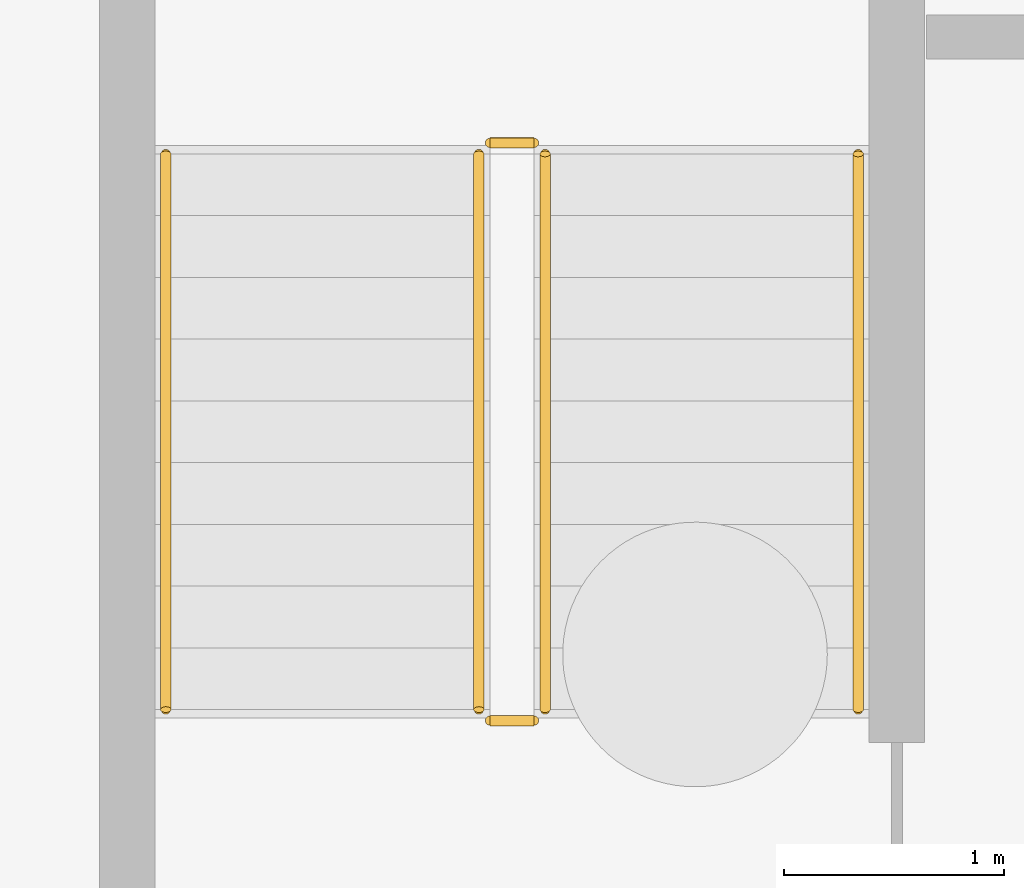
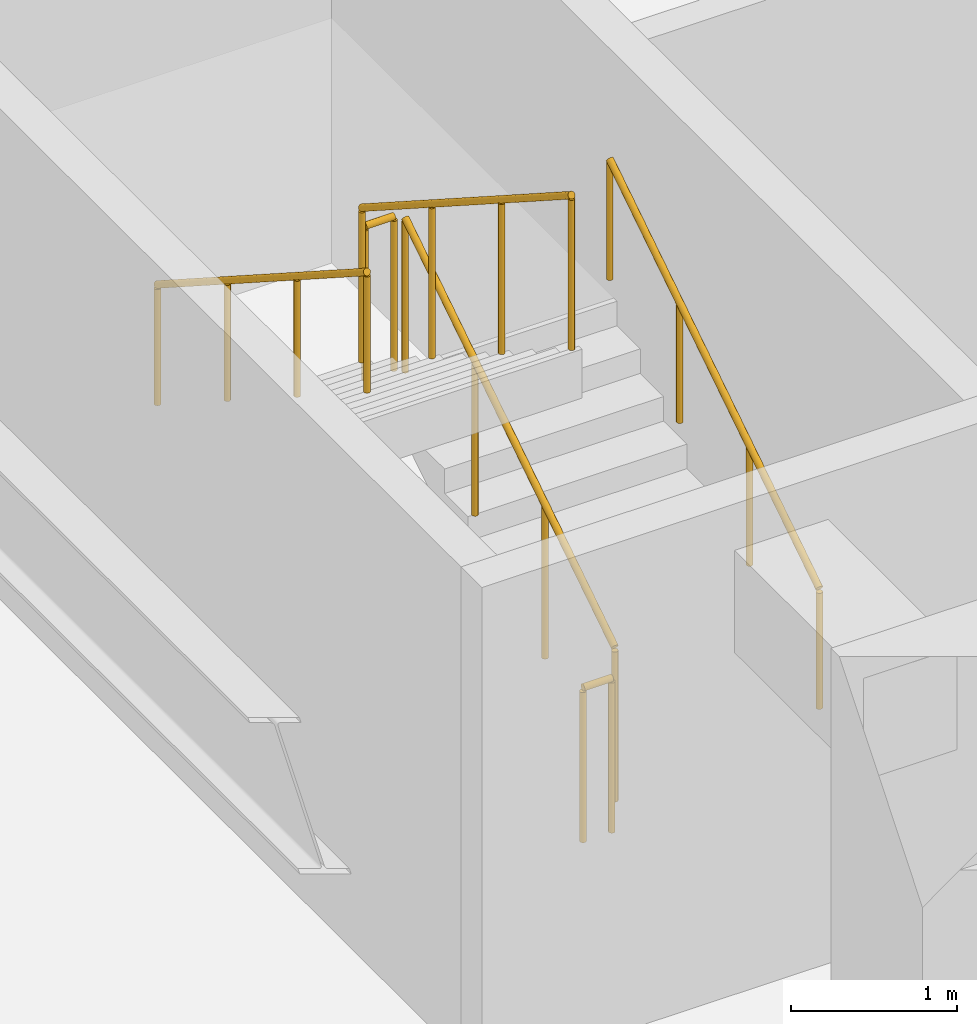
# One storey, part 23 of 26: 6 railings.
"""IFC4 building model written with IfcOpenShell, lengths in metres."""

from ifc_helpers import new_model, si_unit, direction, frame, origin, origin_2d, place, context, subcontext, project, spatial, circle, extrude, material, type_object, element, save


model = new_model("IFC4")

# Units and contexts
model_context = context("Model", 3, precision=1e-05, world=origin(), true_north=direction((0.0, 1.0)))
body_context = subcontext(model_context, "Body", "Model", "MODEL_VIEW")
ifc_project = project(units=[si_unit("LENGTHUNIT", "METRE"), si_unit("AREAUNIT", "SQUARE_METRE"), si_unit("VOLUMEUNIT", "CUBIC_METRE"), si_unit("PLANEANGLEUNIT", "RADIAN"), si_unit("MASSUNIT", "GRAM", prefix="KILO")], contexts=[model_context])

# Site, building, storey
site_placement = place(None, origin())
site = spatial("IfcSite", under=ifc_project, at=site_placement, CompositionType="ELEMENT")
building_placement = place(site_placement, origin())
building = spatial("IfcBuilding", under=site, at=building_placement, Name="Korimba Cascade Residences", CompositionType="ELEMENT")
storey_placement = place(building_placement, frame((0.0, 0.0, -10.800048828125)))
storey = spatial("IfcBuildingStorey", under=building, at=storey_placement, Name="B03", CompositionType="ELEMENT", Elevation=-10.800048828125)

# Railings
ifc_material_1 = material(Name="Painted Steel Stairwell Guardrail", Category="steel")
railing_type_1 = type_object("IfcRailingType", Name="RLG-ST-GD1150", PredefinedType="GUARDRAIL", material=ifc_material_1)
railing_1_placement = place(storey_placement, frame((59.77001953125, 83.64990234375, 0.179931640625)))
element("IfcRailing", 1, at=railing_1_placement, inside=storey, type_object=railing_type_1, Name="B03 ST-P5 stair guard 1", PredefinedType="GUARDRAIL", context=body_context, shape_type="SweptSolid", body=[
    extrude(circle(Radius=0.02392578125, at=origin_2d()), frame((0.0, 0.0, 1.1259765625), z_axis=(0.0, 0.841162588446, 0.540782303519), x_axis=(-1.0, 0.0, 0.0)), (0.0, 0.0, 1.0), 2.995849609375),
    extrude(circle(Radius=0.02099609375, at=origin_2d()), origin(), (0.0, 0.0, 1.0), 1.101806640625),
    extrude(circle(Radius=0.02099609375, at=origin_2d()), frame((0.0, 0.840087890625, 0.5400390625)), (0.0, 0.0, 1.0), 1.101806640625),
    extrude(circle(Radius=0.02099609375, at=origin_2d()), frame((0.0, 1.679931640625, 1.080078125)), (0.0, 0.0, 1.0), 1.101806640625),
    extrude(circle(Radius=0.02099609375, at=origin_2d()), frame((0.0, 2.52001953125, 1.6201171875)), (0.0, 0.0, 1.0), 1.101806640625),
])
railing_2_placement = place(storey_placement, frame((59.719970703125, 86.219970703125, 1.800048828125)))
element("IfcRailing", 2, at=railing_2_placement, inside=storey, type_object=railing_type_1, Name="B03 ST-P5 stair guard 2", PredefinedType="GUARDRAIL", context=body_context, shape_type="SweptSolid", body=[
    extrude(circle(Radius=0.02392578125, at=origin_2d()), frame((0.0, 0.0, 1.1259765625), z_axis=(-1.0, 0.0, 0.0), x_axis=(0.0, -1.0, 0.0)), (0.0, 0.0, 1.0), 0.199951171875),
    extrude(circle(Radius=0.02099609375, at=origin_2d()), origin(), (0.0, 0.0, 1.0), 1.101806640625),
    extrude(circle(Radius=0.02099609375, at=origin_2d()), frame((-0.199951171875, 0.0, 0.0)), (0.0, 0.0, 1.0), 1.101806640625),
])
railing_3_placement = place(storey_placement, frame((59.469970703125, 86.169921875, 1.97998046875)))
element("IfcRailing", 3, at=railing_3_placement, inside=storey, type_object=railing_type_1, Name="B03 ST-P5 stair guard 3", PredefinedType="GUARDRAIL", context=body_context, shape_type="SweptSolid", body=[
    extrude(circle(Radius=0.02392578125, at=origin_2d()), frame((0.0, 0.0, 1.1259765625), z_axis=(0.0, -0.841162588446, 0.540782303519), x_axis=(1.0, 0.0, 0.0)), (0.0, 0.0, 1.0), 2.995849609375),
    extrude(circle(Radius=0.02099609375, at=origin_2d()), origin(), (0.0, 0.0, 1.0), 1.101806640625),
    extrude(circle(Radius=0.02099609375, at=origin_2d()), frame((0.0, -0.840087890625, 0.5400390625)), (0.0, 0.0, 1.0), 1.101806640625),
    extrude(circle(Radius=0.02099609375, at=origin_2d()), frame((0.0, -1.679931640625, 1.080078125)), (0.0, 0.0, 1.0), 1.101806640625),
    extrude(circle(Radius=0.02099609375, at=origin_2d()), frame((0.0, -2.52001953125, 1.6201171875)), (0.0, 0.0, 1.0), 1.101806640625),
])
railing_4_placement = place(storey_placement, frame((59.719970703125, 83.60009765625, 0.0)))
element("IfcRailing", 4, at=railing_4_placement, inside=storey, type_object=railing_type_1, Name="B03 ST-P5 stair guard 4", PredefinedType="GUARDRAIL", context=body_context, shape_type="SweptSolid", body=[
    extrude(circle(Radius=0.02392578125, at=origin_2d()), frame((0.0, 0.0, 1.1259765625), z_axis=(-1.0, 0.0, 0.0), x_axis=(0.0, -1.0, 0.0)), (0.0, 0.0, 1.0), 0.199951171875),
    extrude(circle(Radius=0.02099609375, at=origin_2d()), origin(), (0.0, 0.0, 1.0), 1.101806640625),
    extrude(circle(Radius=0.02099609375, at=origin_2d()), frame((-0.199951171875, 0.0, 0.0)), (0.0, 0.0, 1.0), 1.101806640625),
])
ifc_material_2 = material(Name="Brushed Stainless Steel Handrail", Category="steel")
railing_type_2 = type_object("IfcRailingType", Name="RLG-ST-HR900", PredefinedType="HANDRAIL", material=ifc_material_2)
railing_5_placement = place(storey_placement, frame((61.18994140625, 83.64990234375, 0.36376953125)))
element("IfcRailing", 5, at=railing_5_placement, inside=storey, type_object=railing_type_2, Name="B03 ST-P5 stair handrail 1", PredefinedType="HANDRAIL", context=body_context, shape_type="SweptSolid", body=[
    extrude(circle(Radius=0.02392578125, at=origin_2d()), frame((0.0, 0.0, 0.8759765625), z_axis=(0.0, 0.841162588446, 0.540782303519), x_axis=(-1.0, 0.0, 0.0)), (0.0, 0.0, 1.0), 2.995849609375),
    extrude(circle(Radius=0.02099609375, at=origin_2d()), origin(), (0.0, 0.0, 1.0), 0.851806640625),
    extrude(circle(Radius=0.02099609375, at=origin_2d()), frame((0.0, 0.840087890625, 0.5400390625)), (0.0, 0.0, 1.0), 0.851806640625),
    extrude(circle(Radius=0.02099609375, at=origin_2d()), frame((0.0, 1.679931640625, 1.080078125)), (0.0, 0.0, 1.0), 0.851806640625),
    extrude(circle(Radius=0.02099609375, at=origin_2d()), frame((0.0, 2.52001953125, 1.6201171875)), (0.0, 0.0, 1.0), 0.851806640625),
])
railing_6_placement = place(storey_placement, frame((58.050048828125, 86.169921875, 2.163818359375)))
element("IfcRailing", 6, at=railing_6_placement, inside=storey, type_object=railing_type_2, Name="B03 ST-P5 stair handrail 2", PredefinedType="HANDRAIL", context=body_context, shape_type="SweptSolid", body=[
    extrude(circle(Radius=0.02392578125, at=origin_2d()), frame((0.0, 0.0, 0.8759765625), z_axis=(0.0, -0.841162588446, 0.540782303519), x_axis=(1.0, 0.0, 0.0)), (0.0, 0.0, 1.0), 2.995849609375),
    extrude(circle(Radius=0.02099609375, at=origin_2d()), origin(), (0.0, 0.0, 1.0), 0.851806640625),
    extrude(circle(Radius=0.02099609375, at=origin_2d()), frame((0.0, -0.840087890625, 0.5400390625)), (0.0, 0.0, 1.0), 0.851806640625),
    extrude(circle(Radius=0.02099609375, at=origin_2d()), frame((0.0, -1.679931640625, 1.080078125)), (0.0, 0.0, 1.0), 0.851806640625),
    extrude(circle(Radius=0.02099609375, at=origin_2d()), frame((0.0, -2.52001953125, 1.6201171875)), (0.0, 0.0, 1.0), 0.851806640625),
])

save(model, "model.ifc")
